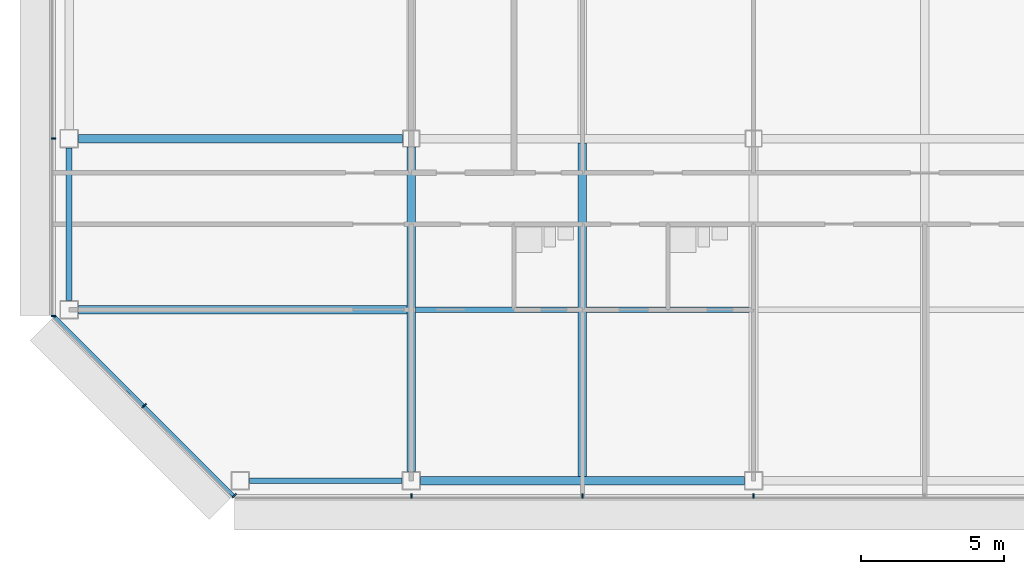
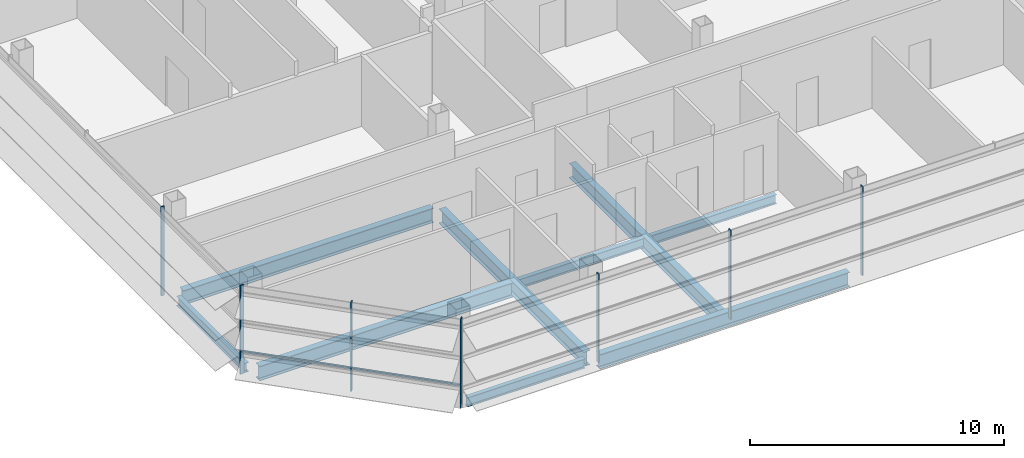
# One storey, part 2 of 30: 9 beams, 8 members, 3 elements without a shape of their own.
"""IFC4 building model written with IfcOpenShell, lengths in metres."""

from ifc_helpers import new_model, si_unit, direction, frame, origin, origin_2d, place, context, subcontext, project, spatial, rectangle, i_section, extrude, material, material_profile, profile_set, type_object, element, aggregate, save


model = new_model("IFC4")

# Units and contexts
model_context = context("Model", 3, precision=1e-05, world=origin(), true_north=direction((0.0, 1.0)))
body_context = subcontext(model_context, "Body", "Model", "MODEL_VIEW")
ifc_project = project(units=[si_unit("LENGTHUNIT", "METRE"), si_unit("AREAUNIT", "SQUARE_METRE"), si_unit("VOLUMEUNIT", "CUBIC_METRE"), si_unit("PLANEANGLEUNIT", "RADIAN"), si_unit("MASSUNIT", "GRAM", prefix="KILO")], contexts=[model_context])

# Site, building, storey
site_placement = place(None, origin())
site = spatial("IfcSite", under=ifc_project, at=site_placement, CompositionType="ELEMENT")
building_placement = place(site_placement, origin())
building = spatial("IfcBuilding", under=site, at=building_placement, Name="Sorahane Residences", CompositionType="ELEMENT")
storey_placement = place(building_placement, frame((0.0, 0.0, 229.800048828125)))
storey = spatial("IfcBuildingStorey", under=building, at=storey_placement, Name="L54", CompositionType="ELEMENT", Elevation=229.800048828125)

# Curtain wall, members
ifc_material_1 = material(Name="Dark low-e glass and black anodised aluminium", Category="aluminium")
curtain_wall_type_1 = type_object("IfcCurtainWallType", Name="Curtain wall CW-1 Typical unitised wall", PredefinedType="NOTDEFINED", material=ifc_material_1)
curtain_wall_1_placement = place(storey_placement, origin())
curtain_wall_1 = element("IfcCurtainWall", 1, at=curtain_wall_1_placement, inside=storey, type_object=curtain_wall_type_1, Name="CW-1 curtain wall L54 W1", PredefinedType="NOTDEFINED")
ifc_material_2 = material(Name="Black anodised aluminium", Category="aluminium")
ifc_material_profile_1 = material_profile(ifc_material_2, rectangle(XDim=0.159912109375, YDim=0.050048828125, at=origin_2d()), Name="Curtain wall mullion CW-1 black anodised aluminium 50x160")
ifc_profile_set_1 = profile_set([ifc_material_profile_1], Name="Black anodised aluminium")
member_type_1 = type_object("IfcMemberType", Name="Curtain wall mullion CW-1 black anodised aluminium 50x160", PredefinedType="MULLION", material=ifc_profile_set_1)
member_1_placement = place(storey_placement, frame((-12.5400390625, 12.0, -0.179931640625), z_axis=(0.0, 0.0, 1.0), x_axis=(-1.0, 0.0, 0.0)))
member_1 = element("IfcMember", 2, at=member_1_placement, type_object=member_type_1, Name="CW-1 mullion L54 W1.6", PredefinedType="MULLION", context=body_context, shape_type="SweptSolid", body=[
    extrude(rectangle(XDim=0.159912109375, YDim=0.050048828125, at=origin_2d()), origin(), (0.0, 0.0, 1.0), 4.27978515625),
])
member_2_placement = place(storey_placement, frame((-12.5400390625, 5.7763671875, -0.179931640625), z_axis=(0.0, 0.0, 1.0), x_axis=(-1.0, 0.0, 0.0)))
member_2 = element("IfcMember", 3, at=member_2_placement, type_object=member_type_1, Name="CW-1 mullion L54 W1.7", PredefinedType="MULLION", context=body_context, shape_type="SweptSolid", body=[
    extrude(rectangle(XDim=0.159912109375, YDim=0.050048828125, at=origin_2d()), origin(), (0.0, 0.0, 1.0), 4.27978515625),
])
aggregate(curtain_wall_1, [member_1, member_2])

curtain_wall_2_placement = place(storey_placement, origin())
curtain_wall_2 = element("IfcCurtainWall", 4, at=curtain_wall_2_placement, inside=storey, type_object=curtain_wall_type_1, Name="CW-1 curtain wall L54 S2", PredefinedType="NOTDEFINED")
member_3_placement = place(storey_placement, frame((0.0, -0.5400390625, -0.179931640625), z_axis=(0.0, 0.0, 1.0), x_axis=(0.0, -1.0, 0.0)))
member_3 = element("IfcMember", 5, at=member_3_placement, type_object=member_type_1, Name="CW-1 mullion L54 S2.2", PredefinedType="MULLION", context=body_context, shape_type="SweptSolid", body=[
    extrude(rectangle(XDim=0.159912109375, YDim=0.050048828125, at=origin_2d()), origin(), (0.0, 0.0, 1.0), 4.27978515625),
])
member_4_placement = place(storey_placement, frame((6.0, -0.5400390625, -0.179931640625), z_axis=(0.0, 0.0, 1.0), x_axis=(0.0, -1.0, 0.0)))
member_4 = element("IfcMember", 6, at=member_4_placement, type_object=member_type_1, Name="CW-1 mullion L54 S2.3", PredefinedType="MULLION", context=body_context, shape_type="SweptSolid", body=[
    extrude(rectangle(XDim=0.159912109375, YDim=0.050048828125, at=origin_2d()), origin(), (0.0, 0.0, 1.0), 4.27978515625),
])
member_5_placement = place(storey_placement, frame((12.0, -0.5400390625, -0.179931640625), z_axis=(0.0, 0.0, 1.0), x_axis=(0.0, -1.0, 0.0)))
member_5 = element("IfcMember", 7, at=member_5_placement, type_object=member_type_1, Name="CW-1 mullion L54 S2.4", PredefinedType="MULLION", context=body_context, shape_type="SweptSolid", body=[
    extrude(rectangle(XDim=0.159912109375, YDim=0.050048828125, at=origin_2d()), origin(), (0.0, 0.0, 1.0), 4.27978515625),
])
aggregate(curtain_wall_2, [member_3, member_4, member_5])

ifc_material_3 = material(Name="Dark low-e glass and black anodised aluminium", Category="aluminium")
curtain_wall_type_2 = type_object("IfcCurtainWallType", Name="Curtain wall CW-2 Chamfer unitised wall", PredefinedType="NOTDEFINED", material=ifc_material_3)
curtain_wall_3_placement = place(storey_placement, origin())
curtain_wall_3 = element("IfcCurtainWall", 8, at=curtain_wall_3_placement, inside=storey, type_object=curtain_wall_type_2, Name="CW-2 curtain wall L54 SW1", PredefinedType="NOTDEFINED")
ifc_material_4 = material(Name="Black anodised aluminium", Category="aluminium")
ifc_material_profile_2 = material_profile(ifc_material_4, rectangle(XDim=0.199951171875, YDim=0.050048828125, at=origin_2d()), Name="Curtain wall mullion CW-2 black anodised aluminium 50x200")
ifc_profile_set_2 = profile_set([ifc_material_profile_2], Name="Black anodised aluminium")
member_type_2 = type_object("IfcMemberType", Name="Curtain wall mullion CW-2 black anodised aluminium 50x200", PredefinedType="MULLION", material=ifc_profile_set_2)
member_6_placement = place(storey_placement, frame((-9.36767578125, 2.63232421875, -0.179931640625), z_axis=(0.0, 0.0, 1.0), x_axis=(-0.707106781187, -0.707106781187, 0.0)))
member_6 = element("IfcMember", 9, at=member_6_placement, type_object=member_type_2, Name="CW-2 mullion L54 SW1.2", PredefinedType="MULLION", context=body_context, shape_type="SweptSolid", body=[
    extrude(rectangle(XDim=0.199951171875, YDim=0.050048828125, at=origin_2d()), origin(), (0.0, 0.0, 1.0), 4.27978515625),
])
member_7_placement = place(storey_placement, frame((-6.209716796875, -0.525634765625, -0.179931640625), z_axis=(0.0, 0.0, 1.0), x_axis=(-0.707106781187, -0.707106781187, 0.0)))
member_7 = element("IfcMember", 10, at=member_7_placement, type_object=member_type_2, Name="CW-2 mullion L54 SW1.3", PredefinedType="MULLION", context=body_context, shape_type="SweptSolid", body=[
    extrude(rectangle(XDim=0.199951171875, YDim=0.050048828125, at=origin_2d()), origin(), (0.0, 0.0, 1.0), 4.27978515625),
])
ifc_material_5 = material(Name="Black anodised aluminium", Category="aluminium")
ifc_material_profile_3 = material_profile(ifc_material_5, rectangle(XDim=0.10009765625, YDim=0.06005859375, at=origin_2d()), Name="Curtain wall transom CW-2 black anodised aluminium 60x100")
ifc_profile_set_3 = profile_set([ifc_material_profile_3], Name="Black anodised aluminium")
member_type_3 = type_object("IfcMemberType", Name="Curtain wall transom CW-2 black anodised aluminium 60x100", PredefinedType="USERDEFINED", material=ifc_profile_set_3)
member_8_placement = place(storey_placement, frame((-12.51513671875, 5.765625, 0.89990234375), z_axis=(0.707106781187, -0.707106781187, 0.0), x_axis=(0.707106781187, 0.707106781187, 0.0)))
member_8 = element("IfcMember", 11, at=member_8_placement, type_object=member_type_3, Name="CW-2 transom L54 SW1", ObjectType="TRANSOM", PredefinedType="USERDEFINED", context=body_context, shape_type="SweptSolid", body=[
    extrude(rectangle(XDim=0.10009765625, YDim=0.06005859375, at=origin_2d()), origin(), (0.0, 0.0, 1.0), 8.88232421875),
])
aggregate(curtain_wall_3, [member_6, member_7, member_8])

# Beams
ifc_material_6 = material(Name="Steel Q355B", Category="steel")
ifc_material_profile_4 = material_profile(ifc_material_6, i_section(OverallWidth=0.199951171875, OverallDepth=0.449951171875, WebThickness=0.009033203125, FlangeThickness=0.013916015625, FilletRadius=0.02001953125, at=origin_2d()), Name="HN 450x200x9x14")
ifc_profile_set_4 = profile_set([ifc_material_profile_4], Name="Steel Q355B")
beam_type_1 = type_object("IfcBeamType", Name="Steel floor beam HN 450x200x9x14 Q355B", PredefinedType="BEAM", material=ifc_profile_set_4)
for number, where, z_axis, x_axis, name in (
    (12, (-5.675048828125, 0.0, -0.405029296875), (1.0, 0.0, 0.0), (0.0, 1.0, 0.0), "Beam L54 000"),
    (13, (-12.0, 6.324951171875, -0.405029296875), (0.0, 1.0, 0.0), (-1.0, 0.0, 0.0), "Beam L54 020"),
):
    element("IfcBeam", number, at=place(storey_placement, frame(where, z_axis=z_axis, x_axis=x_axis)), inside=storey, type_object=beam_type_1, Name=name, PredefinedType="BEAM", context=body_context, shape_type="SweptSolid", body=[
        extrude(i_section(OverallWidth=0.199951171875, OverallDepth=0.449951171875, WebThickness=0.009033203125, FlangeThickness=0.013916015625, FilletRadius=0.02001953125, at=origin_2d()), origin(), (0.0, 0.0, 1.0), 5.35009765625),
    ])
for number, where, z_axis, x_axis, name in (
    (14, (0.14990234375, 6.0, -0.405029296875), (1.0, 0.0, 0.0), (0.0, 1.0, 0.0), "Beam L54 068"),
    (15, (6.14990234375, 6.0, -0.405029296875), (1.0, 0.0, 0.0), (0.0, 1.0, 0.0), "Beam L54 069"),
):
    element("IfcBeam", number, at=place(storey_placement, frame(where, z_axis=z_axis, x_axis=x_axis)), inside=storey, type_object=beam_type_1, Name=name, PredefinedType="BEAM", context=body_context, shape_type="SweptSolid", body=[
        extrude(i_section(OverallWidth=0.199951171875, OverallDepth=0.449951171875, WebThickness=0.009033203125, FlangeThickness=0.013916015625, FilletRadius=0.02001953125, at=origin_2d()), origin(), (0.0, 0.0, 1.0), 5.7001953125),
    ])
ifc_material_7 = material(Name="Steel Q355B", Category="steel")
ifc_material_profile_5 = material_profile(ifc_material_7, i_section(OverallWidth=0.300048828125, OverallDepth=0.699951171875, WebThickness=0.012939453125, FlangeThickness=0.02392578125, FilletRadius=0.028076171875, at=origin_2d()), Name="HN 700x300x13x24")
ifc_profile_set_5 = profile_set([ifc_material_profile_5], Name="Steel Q355B")
beam_type_2 = type_object("IfcBeamType", Name="Steel floor beam HN 700x300x13x24 Q355B", PredefinedType="BEAM", material=ifc_profile_set_5)
beam_1_placement = place(storey_placement, frame((0.324951171875, 0.0, -0.530029296875), z_axis=(1.0, 0.0, 0.0), x_axis=(0.0, 1.0, 0.0)))
element("IfcBeam", 16, at=beam_1_placement, inside=storey, type_object=beam_type_2, Name="Beam L54 001", PredefinedType="BEAM", context=body_context, shape_type="SweptSolid", body=[
    extrude(i_section(OverallWidth=0.300048828125, OverallDepth=0.699951171875, WebThickness=0.012939453125, FlangeThickness=0.02392578125, FilletRadius=0.028076171875, at=origin_2d()), origin(), (0.0, 0.0, 1.0), 11.35009765625),
])
for number, where, z_axis, x_axis, name in (
    (17, (-11.675048828125, 12.0, -0.530029296875), (1.0, 0.0, 0.0), (0.0, 1.0, 0.0), "Beam L54 005"),
    (18, (0.0, 0.324951171875, -0.530029296875), (0.0, 1.0, 0.0), (-1.0, 0.0, 0.0), "Beam L54 024"),
):
    element("IfcBeam", number, at=place(storey_placement, frame(where, z_axis=z_axis, x_axis=x_axis)), inside=storey, type_object=beam_type_2, Name=name, PredefinedType="BEAM", context=body_context, shape_type="SweptSolid", body=[
        extrude(i_section(OverallWidth=0.300048828125, OverallDepth=0.699951171875, WebThickness=0.012939453125, FlangeThickness=0.02392578125, FilletRadius=0.028076171875, at=origin_2d()), origin(), (0.0, 0.0, 1.0), 11.375),
    ])
beam_2_placement = place(storey_placement, frame((6.0, 0.14990234375, -0.530029296875), z_axis=(0.0, 1.0, 0.0), x_axis=(-1.0, 0.0, 0.0)))
element("IfcBeam", 19, at=beam_2_placement, inside=storey, type_object=beam_type_2, Name="Beam L54 028", PredefinedType="BEAM", context=body_context, shape_type="SweptSolid", body=[
    extrude(i_section(OverallWidth=0.300048828125, OverallDepth=0.699951171875, WebThickness=0.012939453125, FlangeThickness=0.02392578125, FilletRadius=0.028076171875, at=origin_2d()), origin(), (0.0, 0.0, 1.0), 11.7001953125),
])
beam_3_placement = place(storey_placement, frame((-11.675048828125, 6.0, -0.530029296875), z_axis=(1.0, 0.0, 0.0), x_axis=(0.0, 1.0, 0.0)))
element("IfcBeam", 20, at=beam_3_placement, inside=storey, type_object=beam_type_2, Name="Beam L54 067", PredefinedType="BEAM", context=body_context, shape_type="SweptSolid", body=[
    extrude(i_section(OverallWidth=0.300048828125, OverallDepth=0.699951171875, WebThickness=0.012939453125, FlangeThickness=0.02392578125, FilletRadius=0.028076171875, at=origin_2d()), origin(), (0.0, 0.0, 1.0), 11.525146484375),
])

save(model, "model.ifc")
